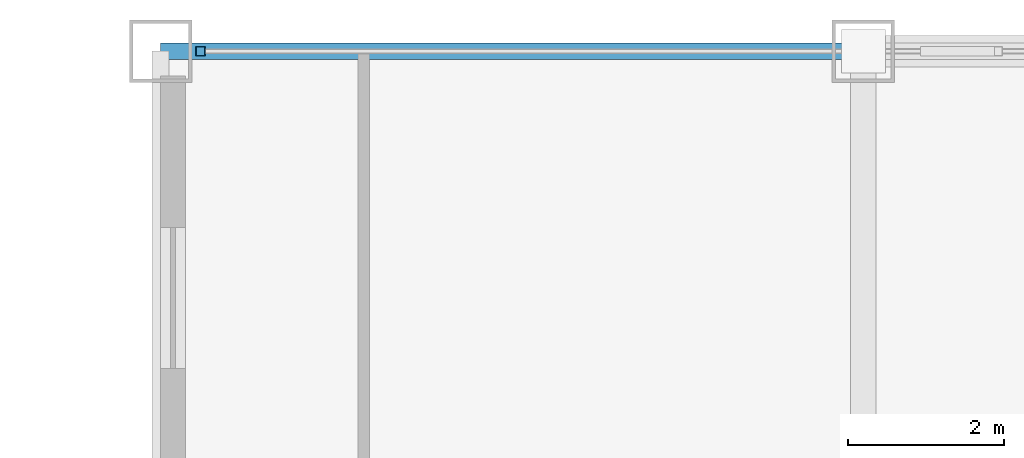
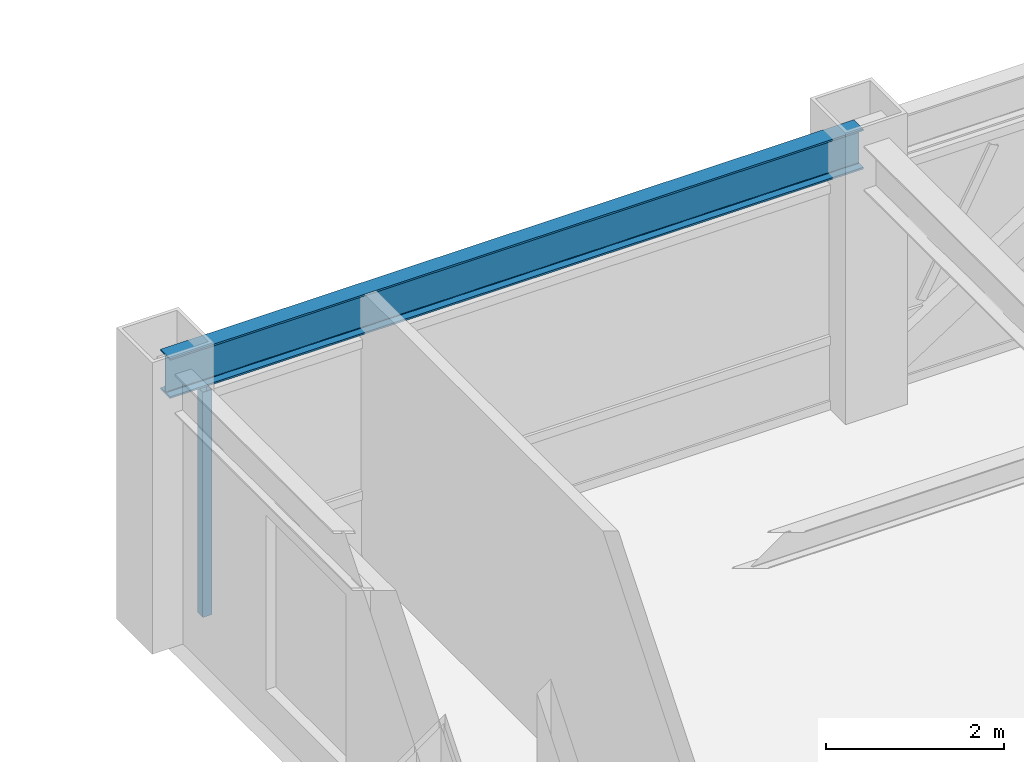
# One storey, part 16 of 28: 1 beam, 1 member, 1 element without a shape of its own.
"""IFC4 building model written with IfcOpenShell, lengths in metres."""

from ifc_helpers import new_model, si_unit, direction, frame, origin, origin_2d, place, context, subcontext, project, spatial, hollow_rectangle, i_section, extrude, source, transform, mapped, material, material_profile, profile_set, type_object, element, aggregate, save


model = new_model("IFC4")

# Units and contexts
model_context = context("Model", 3, precision=1e-05, world=origin(), true_north=direction((0.0, 1.0)))
body_context = subcontext(model_context, "Body", "Model", "MODEL_VIEW")
ifc_project = project(units=[si_unit("LENGTHUNIT", "METRE"), si_unit("AREAUNIT", "SQUARE_METRE"), si_unit("VOLUMEUNIT", "CUBIC_METRE"), si_unit("PLANEANGLEUNIT", "RADIAN"), si_unit("MASSUNIT", "GRAM", prefix="KILO")], contexts=[model_context])

# Site, building, storey
site_placement = place(None, origin())
site = spatial("IfcSite", under=ifc_project, at=site_placement, CompositionType="ELEMENT")
building_placement = place(site_placement, origin())
building = spatial("IfcBuilding", under=site, at=building_placement, Name="Khorayat Bourse Tower", CompositionType="ELEMENT")
storey_placement = place(building_placement, frame((0.0, 0.0, 330.300048828125)))
storey = spatial("IfcBuildingStorey", under=building, at=storey_placement, Name="L78", CompositionType="ELEMENT", Elevation=330.300048828125)

# Beam
ifc_material_1 = material(Name="Steel ASTM A992 Grade 50", Category="steel")
ifc_material_profile_1 = material_profile(ifc_material_1, i_section(OverallWidth=0.214111328125, OverallDepth=0.549072265625, WebThickness=0.0146484375, FlangeThickness=0.023681640625, FilletRadius=0.013916015625, at=origin_2d()), Name="W530X138")
ifc_profile_set_1 = profile_set([ifc_material_profile_1], Name="Steel ASTM A992 Grade 50")
beam_type = type_object("IfcBeamType", Name="BM-SPAN-530", PredefinedType="SPANDREL", material=ifc_profile_set_1)
shared_shape_1 = source(origin(), body_context, "Body", "SweptSolid", [
    extrude(i_section(OverallWidth=0.214111328125, OverallDepth=0.549072265625, WebThickness=0.0146484375, FlangeThickness=0.023681640625, FilletRadius=0.013916015625, at=origin_2d()), origin(), (0.0, 0.0, 1.0), 9.0),
])
beam_placement = place(storey_placement, frame((-20.0, 26.0, 3.46533203125), z_axis=(1.0, 0.0, 0.0), x_axis=(0.0, 1.0, 0.0)))
element("IfcBeam", 1, at=beam_placement, inside=storey, type_object=beam_type, Name="L78 BM-SPAN-530 BM-L78-SPN-045", PredefinedType="SPANDREL", context=body_context, shape_type="MappedRepresentation", body=[
    mapped(shared_shape_1, transform((0.0, 0.0, 0.0), scale=1.0)),
])

# Curtain wall, member
ifc_material_2 = material(Name="Aluminium EN AW-6063 T6", Category="aluminium")
curtain_wall_type = type_object("IfcCurtainWallType", Name="CW-SYS-04", PredefinedType="NOTDEFINED", material=ifc_material_2)
curtain_wall_placement = place(storey_placement, origin())
curtain_wall = element("IfcCurtainWall", 2, at=curtain_wall_placement, inside=storey, type_object=curtain_wall_type, Name="L78 Curtain Wall CW-L78-N1", PredefinedType="NOTDEFINED")
ifc_material_profile_2 = material_profile(ifc_material_2, hollow_rectangle(XDim=0.1201171875, YDim=0.1201171875, WallThickness=0.0048828125, at=origin_2d()), Name="ALU 120x120x5")
ifc_profile_set_2 = profile_set([ifc_material_profile_2], Name="Aluminium EN AW-6063 T6")
member_type = type_object("IfcMemberType", Name="CWM-VERT-120", PredefinedType="MULLION", material=ifc_profile_set_2)
shared_shape_2 = source(origin(), body_context, "Body", "SweptSolid", [
    extrude(hollow_rectangle(XDim=0.1201171875, YDim=0.1201171875, WallThickness=0.0048828125, at=origin_2d()), origin(), (0.0, 0.0, 1.0), 3.08984375),
])
member_placement = place(storey_placement, frame((-19.489990234375, 26.0, 0.0), z_axis=(0.0, 0.0, 1.0), x_axis=(0.0, 1.0, 0.0)))
member = element("IfcMember", 3, at=member_placement, type_object=member_type, Name="CW-L78-N1 Vertical Mullion 1", PredefinedType="MULLION", context=body_context, shape_type="MappedRepresentation", body=[
    mapped(shared_shape_2, transform((0.0, 0.0, 0.0), scale=1.0)),
])
aggregate(curtain_wall, [member])

save(model, "model.ifc")
